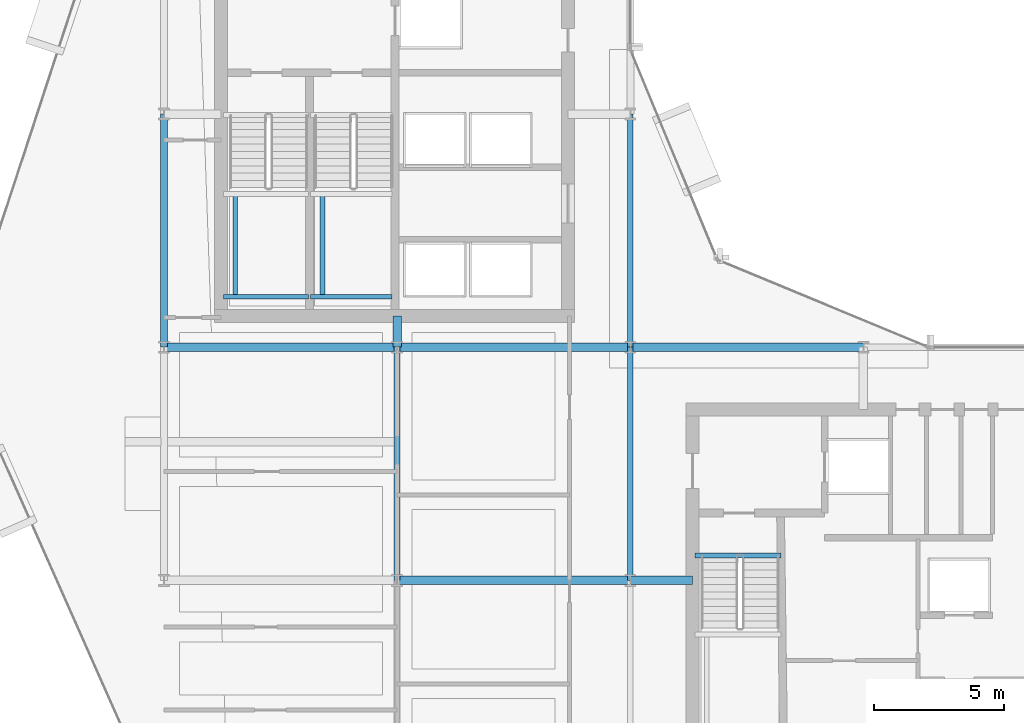
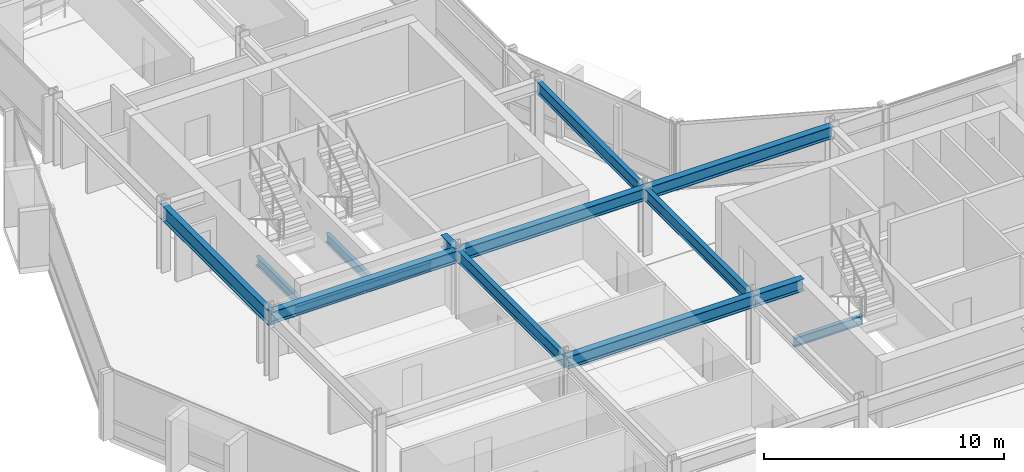
# One storey, part 7 of 28: 15 beams.
"""IFC4 building model written with IfcOpenShell, lengths in metres."""

import ifcopenshell
import ifcopenshell.guid

model = None  # the IFC model being written
_history = None  # IfcOwnerHistory: only IFC2X3 demands one
_inside = {}  # id of a spatial element -> (the spatial element, [elements in it])
_under = {}  # id of a project, library or spatial element -> (it, [spatial elements below it])
_declared = {}  # id of a project -> (the project, [libraries it declares])
_typed = {}  # id of a type object -> (the type object, [elements of that type])
_made_of = {}  # id of a material, layer set ... -> (it, [elements and type objects made of it])


def new_model(schema):
    """Start an empty IFC model of exactly this schema.

    Asked for "IFC4X3", IfcOpenShell would pick the latest addendum, in which some entities
    have other attributes; the version numbers below select the first issue.
    IFC2X3 requires an IfcOwnerHistory on every rooted entity: one is made here for all.
    """
    global model, _history
    if schema == "IFC4X3":
        model = ifcopenshell.file(schema_version=(4, 3, 0, 0))
    else:
        model = ifcopenshell.file(schema=schema)
    _inside.clear()
    _under.clear()
    _declared.clear()
    _typed.clear()
    _made_of.clear()
    _history = None
    if model.schema == "IFC2X3":
        org = make("IfcOrganization", Name="unknown")
        user = make(
            "IfcPersonAndOrganization",
            ThePerson=make("IfcPerson", FamilyName="unknown"),
            TheOrganization=org,
        )
        app = make(
            "IfcApplication",
            ApplicationDeveloper=org,
            Version="unknown",
            ApplicationFullName="unknown",
            ApplicationIdentifier="unknown",
        )
        _history = make(
            "IfcOwnerHistory",
            OwningUser=user,
            OwningApplication=app,
            ChangeAction="ADDED",
            CreationDate=0,
        )
    return model


def make(cls, **values):
    """One entity of the class cls with the attributes given. An attribute that is None is left unset."""
    return model.create_entity(
        cls, **{name: value for name, value in values.items() if value is not None}
    )


def rooted(cls, **values):
    """An entity with a GlobalId (a new one), such as an element, a storey or a relation."""
    return make(cls, GlobalId=ifcopenshell.guid.new(), OwnerHistory=_history, **values)


def si_unit(unit_type, name, prefix=None):
    """IfcSIUnit, for example si_unit("LENGTHUNIT", "METRE", prefix="MILLI")."""
    return make("IfcSIUnit", UnitType=unit_type, Prefix=prefix, Name=name)


def assignment(units):
    """IfcUnitAssignment: the units of a project."""
    return None if units is None else make("IfcUnitAssignment", Units=units)


def point(xyz):
    """IfcCartesianPoint."""
    return None if xyz is None else make("IfcCartesianPoint", Coordinates=xyz)


def direction(xyz):
    """IfcDirection."""
    return None if xyz is None else make("IfcDirection", DirectionRatios=xyz)


def frame(location, z_axis=None, x_axis=None):
    """IfcAxis2Placement3D, a coordinate frame: its origin and axes. An axis left out is left unset."""
    return make(
        "IfcAxis2Placement3D",
        Location=point(location),
        Axis=direction(z_axis),
        RefDirection=direction(x_axis),
    )


def frame_2d(location, x_axis=None):
    """IfcAxis2Placement2D, a coordinate frame in the plane: its origin and x axis."""
    return make(
        "IfcAxis2Placement2D", Location=point(location), RefDirection=direction(x_axis)
    )


def origin():
    """The frame at (0, 0, 0) with its axes left unset."""
    return frame((0.0, 0.0, 0.0))


def origin_2d():
    """The frame at (0, 0) in the plane with its x axis left unset."""
    return frame_2d((0.0, 0.0))


def place(relative_to, where):
    """IfcLocalPlacement: puts the frame where relative to a parent placement (None: the world)."""
    return make(
        "IfcLocalPlacement", PlacementRelTo=relative_to, RelativePlacement=where
    )


def context(
    kind, dimensions, precision=None, world=None, true_north=None, identifier=None
):
    """IfcGeometricRepresentationContext, for example the 3D "Model" context."""
    return make(
        "IfcGeometricRepresentationContext",
        ContextIdentifier=identifier,
        ContextType=kind,
        CoordinateSpaceDimension=dimensions,
        Precision=precision,
        WorldCoordinateSystem=world,
        TrueNorth=true_north,
    )


def subcontext(parent, identifier, kind, view, scale=None):
    """IfcGeometricRepresentationSubContext, for example "Body" below "Model"."""
    return make(
        "IfcGeometricRepresentationSubContext",
        ContextIdentifier=identifier,
        ContextType=kind,
        ParentContext=parent,
        TargetScale=scale,
        TargetView=view,
    )


def project(units=None, contexts=None):
    """IfcProject with its units and contexts."""
    return rooted(
        "IfcProject",
        Name="project",
        RepresentationContexts=contexts,
        UnitsInContext=assignment(units),
    )


def spatial(cls, under=None, at=None, **own):
    """A site, building, storey or space (cls), placed at a placement, below another one or the project."""
    s = rooted(cls, ObjectPlacement=at, **own)
    if under is not None:
        _under.setdefault(under.id(), (under, []))[1].append(s)
    return s


def profile(cls, at=None, kind="AREA", **sizes):
    """A parametric profile (cls). Its sizes go by their IFC names, for example OverallWidth=200.0."""
    return make(cls, ProfileType=kind, Position=at, **sizes)


def i_section(**sizes):
    """IfcIShapeProfileDef."""
    return profile("IfcIShapeProfileDef", **sizes)


def extrude(swept, where, along, depth):
    """IfcExtrudedAreaSolid: the profile swept, set in the frame where, extruded along a direction by depth."""
    return make(
        "IfcExtrudedAreaSolid",
        SweptArea=swept,
        Position=where,
        ExtrudedDirection=direction(along),
        Depth=depth,
    )


def shape(context_of_items, identifier, shape_type, items):
    """IfcShapeRepresentation: the items that make up one representation, for example the "Body"."""
    return make(
        "IfcShapeRepresentation",
        ContextOfItems=context_of_items,
        RepresentationIdentifier=identifier,
        RepresentationType=shape_type,
        Items=items,
    )


def material(Name=None, Category=None):
    """IfcMaterial."""
    return make("IfcMaterial", Name=Name, Category=Category)


def material_profile(
    of_material, cross_section, Name=None, Category=None, Priority=None
):
    """IfcMaterialProfile: a cross section and its material."""
    return make(
        "IfcMaterialProfile",
        Name=Name,
        Material=of_material,
        Profile=cross_section,
        Priority=Priority,
        Category=Category,
    )


def profile_set(profiles, Name=None, composite=None):
    """IfcMaterialProfileSet."""
    return make(
        "IfcMaterialProfileSet",
        Name=Name,
        MaterialProfiles=profiles,
        CompositeProfile=composite,
    )


def made_of(thing, what):
    """Note that an element or type object is made of a material, layer set ...; save() writes the relation."""
    if what is not None:
        _made_of.setdefault(what.id(), (what, []))[1].append(thing)
    return thing


def type_object(cls, material=None, **own):
    """A type object (cls), such as IfcWallType, which elements share."""
    return made_of(rooted(cls, **own), material)


def element(
    cls,
    number,
    at=None,
    inside=None,
    cuts=None,
    type_object=None,
    material=None,
    context=None,
    identifier="Body",
    shape_type=None,
    held_by="IfcProductDefinitionShape",
    body=None,
    shapes=None,
    **own,
):
    """One element of the class cls, such as IfcWall. Its Tag is "e" and its number.

    at: its placement. inside: the storey or other place that contains it. cuts: it is an
    opening in that element (IfcRelVoidsElement). A single representation is given by context,
    identifier, shape_type and body (its items); several are given by shapes. held_by: the class
    of the entity that holds the representations. save() writes the other relations.
    """
    e = rooted(cls, Tag="e%d" % number, ObjectPlacement=at, **own)
    if body is not None:
        shapes = [shape(context, identifier, shape_type, body)]
    if shapes is not None:
        e.Representation = make(held_by, Representations=shapes)
    if inside is not None:
        _inside.setdefault(inside.id(), (inside, []))[1].append(e)
    if cuts is not None:
        rooted(
            "IfcRelVoidsElement", RelatingBuildingElement=cuts, RelatedOpeningElement=e
        )
    if type_object is not None:
        _typed.setdefault(type_object.id(), (type_object, []))[1].append(e)
    return made_of(e, material)


def aggregate(whole, parts):
    """IfcRelAggregates: a whole, such as a stair, and the parts it consists of."""
    return rooted("IfcRelAggregates", RelatingObject=whole, RelatedObjects=parts)


def save(model, path):
    """Write the relations noted so far, then the file.

    IfcRelAggregates (storeys below a building ...), IfcRelContainedInSpatialStructure (elements
    in a storey), IfcRelDefinesByType, IfcRelAssociatesMaterial and IfcRelDeclares: one each for
    every whole, place, type object, material and project.
    """
    for whole, parts in _under.values():
        aggregate(whole, parts)
    for where, things in _inside.values():
        rooted(
            "IfcRelContainedInSpatialStructure",
            RelatedElements=things,
            RelatingStructure=where,
        )
    for kind, things in _typed.values():
        rooted("IfcRelDefinesByType", RelatedObjects=things, RelatingType=kind)
    for what, things in _made_of.values():
        rooted("IfcRelAssociatesMaterial", RelatedObjects=things, RelatingMaterial=what)
    for by, libraries in _declared.values():
        rooted("IfcRelDeclares", RelatingContext=by, RelatedDefinitions=libraries)
    model.write(path)


model = new_model("IFC4")

# Units and contexts
model_context = context("Model", 3, precision=1e-05, world=origin(), true_north=direction((0.0, 1.0)))
body_context = subcontext(model_context, "Body", "Model", "MODEL_VIEW")
ifc_project = project(units=[si_unit("LENGTHUNIT", "METRE"), si_unit("AREAUNIT", "SQUARE_METRE"), si_unit("VOLUMEUNIT", "CUBIC_METRE"), si_unit("PLANEANGLEUNIT", "RADIAN"), si_unit("MASSUNIT", "GRAM", prefix="KILO")], contexts=[model_context])

# Site, building, storey
site_placement = place(None, origin())
site = spatial("IfcSite", under=ifc_project, at=site_placement, CompositionType="ELEMENT")
building_placement = place(site_placement, origin())
building = spatial("IfcBuilding", under=site, at=building_placement, Name="Solvaryn Broadcast Tower", CompositionType="ELEMENT")
storey_placement = place(building_placement, frame((0.0, 0.0, 132.199951171875)))
storey = spatial("IfcBuildingStorey", under=building, at=storey_placement, Name="L32", CompositionType="ELEMENT", Elevation=132.199951171875)

# Beams
ifc_material_1 = material(Name="Steel ASTM A992 Grade 50", Category="steel")
ifc_material_profile_1 = material_profile(ifc_material_1, i_section(OverallWidth=0.323974609375, OverallDepth=0.611083984375, WebThickness=0.0126953125, FlangeThickness=0.01904296875, FilletRadius=0.014892578125, at=origin_2d()))
ifc_profile_set_1 = profile_set([ifc_material_profile_1], Name="Steel ASTM A992 Grade 50")
beam_type_1 = type_object("IfcBeamType", Name="BM-B1-W24X104", PredefinedType="BEAM", material=ifc_profile_set_1)
for number, where, z_axis, x_axis, name in (
    (1, (18.0, 18.0, 3.114501953125), (1.0, 0.0, 0.0), (0.0, 1.0, 0.0), "L32 Primary Beam X (18-27 @ Y=18)"),
    (2, (9.0, 27.0, 3.114501953125), (1.0, 0.0, 0.0), (0.0, 1.0, 0.0), "L32 Primary Beam X (9-18 @ Y=27)"),
    (3, (18.0, 27.0, 3.114501953125), (1.0, 0.0, 0.0), (0.0, 1.0, 0.0), "L32 Primary Beam X (18-27 @ Y=27)"),
    (4, (27.0, 27.0, 3.114501953125), (1.0, 0.0, 0.0), (0.0, 1.0, 0.0), "L32 Primary Beam X (27-36 @ Y=27)"),
):
    element("IfcBeam", number, at=place(storey_placement, frame(where, z_axis=z_axis, x_axis=x_axis)), inside=storey, type_object=beam_type_1, Name=name, PredefinedType="BEAM", context=body_context, shape_type="SweptSolid", body=[
        extrude(i_section(OverallWidth=0.323974609375, OverallDepth=0.611083984375, WebThickness=0.0126953125, FlangeThickness=0.01904296875, FilletRadius=0.014892578125, at=origin_2d()), origin(), (0.0, 0.0, 1.0), 9.0),
    ])
beam_1_placement = place(storey_placement, frame((18.0, 27.0, 3.114501953125), z_axis=(0.0, 1.0, 0.0), x_axis=(-1.0, 0.0, 0.0)))
element("IfcBeam", 5, at=beam_1_placement, inside=storey, type_object=beam_type_1, Name="L32 Core Tie Beam CTW4", PredefinedType="BEAM", context=body_context, shape_type="SweptSolid", body=[
    extrude(i_section(OverallWidth=0.323974609375, OverallDepth=0.611083984375, WebThickness=0.0126953125, FlangeThickness=0.01904296875, FilletRadius=0.014892578125, at=origin_2d()), origin(), (0.0, 0.0, 1.0), 1.199951171875),
])
beam_2_placement = place(storey_placement, frame((27.0, 18.0, 3.114501953125), z_axis=(1.0, 0.0, 0.0), x_axis=(0.0, 1.0, 0.0)))
element("IfcBeam", 6, at=beam_2_placement, inside=storey, type_object=beam_type_1, Name="L32 Core Tie Beam CTE4", PredefinedType="BEAM", context=body_context, shape_type="SweptSolid", body=[
    extrude(i_section(OverallWidth=0.323974609375, OverallDepth=0.611083984375, WebThickness=0.0126953125, FlangeThickness=0.01904296875, FilletRadius=0.014892578125, at=origin_2d()), origin(), (0.0, 0.0, 1.0), 2.39990234375),
])
ifc_material_2 = material(Name="Steel ASTM A992 Grade 50", Category="steel")
ifc_material_profile_2 = material_profile(ifc_material_2, i_section(OverallWidth=0.22802734375, OverallDepth=0.60791015625, WebThickness=0.01123046875, FlangeThickness=0.017333984375, FilletRadius=0.014892578125, at=origin_2d()))
ifc_profile_set_2 = profile_set([ifc_material_profile_2], Name="Steel ASTM A992 Grade 50")
beam_type_2 = type_object("IfcBeamType", Name="BM-B2-W24X76", PredefinedType="BEAM", material=ifc_profile_set_2)
for number, where, z_axis, x_axis, name in (
    (7, (18.0, 18.0, 3.115966796875), (0.0, 1.0, 0.0), (-1.0, 0.0, 0.0), "L32 Primary Beam Y (18-27 @ X=18)"),
    (8, (27.0, 18.0, 3.115966796875), (0.0, 1.0, 0.0), (-1.0, 0.0, 0.0), "L32 Primary Beam Y (18-27 @ X=27)"),
    (9, (27.0, 27.0, 3.115966796875), (0.0, 1.0, 0.0), (-1.0, 0.0, 0.0), "L32 Primary Beam Y (27-36 @ X=27)"),
):
    element("IfcBeam", number, at=place(storey_placement, frame(where, z_axis=z_axis, x_axis=x_axis)), inside=storey, type_object=beam_type_2, Name=name, PredefinedType="BEAM", context=body_context, shape_type="SweptSolid", body=[
        extrude(i_section(OverallWidth=0.22802734375, OverallDepth=0.60791015625, WebThickness=0.01123046875, FlangeThickness=0.017333984375, FilletRadius=0.014892578125, at=origin_2d()), origin(), (0.0, 0.0, 1.0), 9.0),
    ])
ifc_material_3 = material(Name="Steel ASTM A992 Grade 50", Category="steel")
ifc_material_profile_3 = material_profile(ifc_material_3, i_section(OverallWidth=0.18994140625, OverallDepth=0.45703125, WebThickness=0.009033203125, FlangeThickness=0.014404296875, FilletRadius=0.011962890625, at=origin_2d()))
ifc_profile_set_3 = profile_set([ifc_material_profile_3], Name="Steel ASTM A992 Grade 50")
beam_type_3 = type_object("IfcBeamType", Name="BM-B4-W18X50", PredefinedType="BEAM", material=ifc_profile_set_3)
beam_3_placement = place(storey_placement, frame((11.300048828125, 28.949951171875, 1.421630859375), z_axis=(1.0, 0.0, 0.0), x_axis=(0.0, 1.0, 0.0)))
element("IfcBeam", 10, at=beam_3_placement, inside=storey, type_object=beam_type_3, Name="L32 ST1 Landing Support Beam 1A", PredefinedType="BEAM", context=body_context, shape_type="SweptSolid", body=[
    extrude(i_section(OverallWidth=0.18994140625, OverallDepth=0.45703125, WebThickness=0.009033203125, FlangeThickness=0.014404296875, FilletRadius=0.011962890625, at=origin_2d()), origin(), (0.0, 0.0, 1.0), 3.280029296875),
])
beam_4_placement = place(storey_placement, frame((11.75, 28.949951171875, 1.421630859375), z_axis=(0.0, 1.0, 0.0), x_axis=(-1.0, 0.0, 0.0)))
element("IfcBeam", 11, at=beam_4_placement, inside=storey, type_object=beam_type_3, Name="L32 ST1 Landing Cross Stringer 1C", PredefinedType="BEAM", context=body_context, shape_type="SweptSolid", body=[
    extrude(i_section(OverallWidth=0.18994140625, OverallDepth=0.45703125, WebThickness=0.009033203125, FlangeThickness=0.014404296875, FilletRadius=0.011962890625, at=origin_2d()), origin(), (0.0, 0.0, 1.0), 3.9599609375),
])
beam_5_placement = place(storey_placement, frame((14.659912109375, 28.949951171875, 1.421630859375), z_axis=(1.0, 0.0, 0.0), x_axis=(0.0, 1.0, 0.0)))
element("IfcBeam", 12, at=beam_5_placement, inside=storey, type_object=beam_type_3, Name="L32 ST2 Landing Support Beam 1A", PredefinedType="BEAM", context=body_context, shape_type="SweptSolid", body=[
    extrude(i_section(OverallWidth=0.18994140625, OverallDepth=0.45703125, WebThickness=0.009033203125, FlangeThickness=0.014404296875, FilletRadius=0.011962890625, at=origin_2d()), origin(), (0.0, 0.0, 1.0), 3.14013671875),
])
beam_6_placement = place(storey_placement, frame((15.110107421875, 28.949951171875, 1.421630859375), z_axis=(0.0, 1.0, 0.0), x_axis=(-1.0, 0.0, 0.0)))
element("IfcBeam", 13, at=beam_6_placement, inside=storey, type_object=beam_type_3, Name="L32 ST2 Landing Cross Stringer 1C", PredefinedType="BEAM", context=body_context, shape_type="SweptSolid", body=[
    extrude(i_section(OverallWidth=0.18994140625, OverallDepth=0.45703125, WebThickness=0.009033203125, FlangeThickness=0.014404296875, FilletRadius=0.011962890625, at=origin_2d()), origin(), (0.0, 0.0, 1.0), 3.9599609375),
])
beam_7_placement = place(storey_placement, frame((29.5, 18.9599609375, -0.508544921875), z_axis=(1.0, 0.0, 0.0), x_axis=(0.0, 1.0, 0.0)))
element("IfcBeam", 14, at=beam_7_placement, inside=storey, type_object=beam_type_3, Name="L32 ST3 Stair Well Trimmer Beam", PredefinedType="BEAM", context=body_context, shape_type="SweptSolid", body=[
    extrude(i_section(OverallWidth=0.18994140625, OverallDepth=0.45703125, WebThickness=0.009033203125, FlangeThickness=0.014404296875, FilletRadius=0.011962890625, at=origin_2d()), origin(), (0.0, 0.0, 1.0), 3.320068359375),
])
ifc_material_4 = material(Name="Steel ASTM A992 Grade 50", Category="steel")
ifc_material_profile_4 = material_profile(ifc_material_4, i_section(OverallWidth=0.26708984375, OverallDepth=0.76611328125, WebThickness=0.014892578125, FlangeThickness=0.023681640625, FilletRadius=0.01806640625, at=origin_2d()))
ifc_profile_set_4 = profile_set([ifc_material_profile_4], Name="Steel ASTM A992 Grade 50")
beam_type_4 = type_object("IfcBeamType", Name="BM-SP2-W30X124", PredefinedType="USERDEFINED", material=ifc_profile_set_4)
beam_8_placement = place(storey_placement, frame((9.0, 27.0, 3.037109375), z_axis=(0.0, 1.0, 0.0), x_axis=(-1.0, 0.0, 0.0)))
element("IfcBeam", 15, at=beam_8_placement, inside=storey, type_object=beam_type_4, Name="L32 Spandrel Beam Y (27-36 @ X=9)", ObjectType="SPANDREL", PredefinedType="USERDEFINED", context=body_context, shape_type="SweptSolid", body=[
    extrude(i_section(OverallWidth=0.26708984375, OverallDepth=0.76611328125, WebThickness=0.014892578125, FlangeThickness=0.023681640625, FilletRadius=0.01806640625, at=origin_2d()), origin(), (0.0, 0.0, 1.0), 9.0),
])

save(model, "model.ifc")
